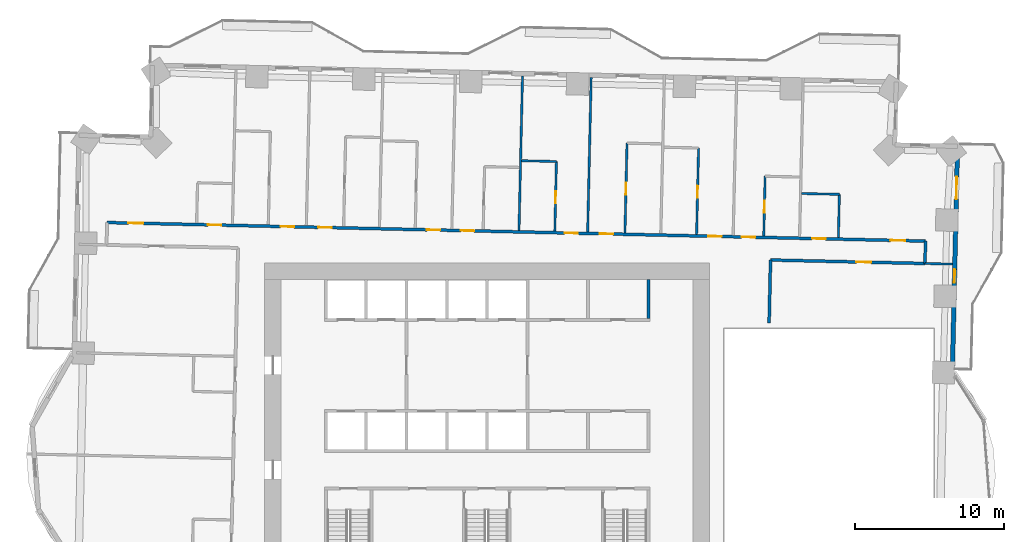
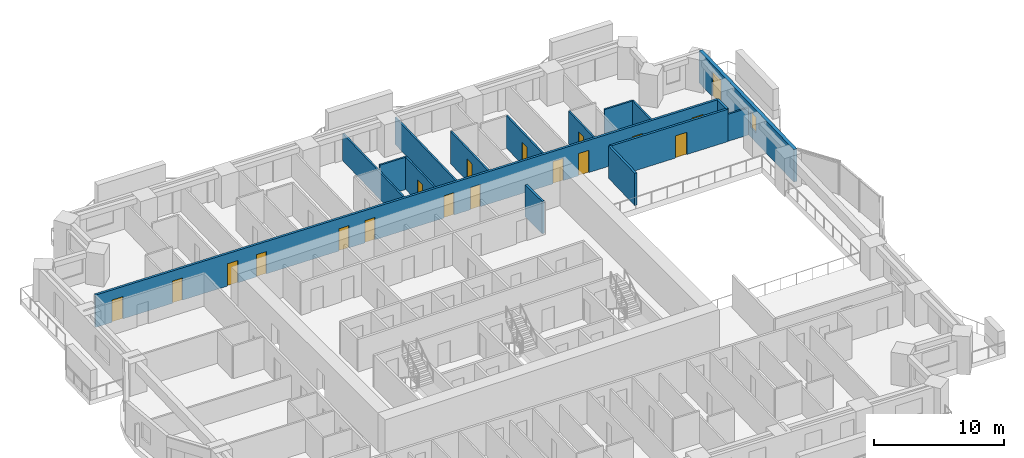
# One storey, part 12 of 18: 18 doors, 16 walls, 1 window, 19 openings.
"""IFC4 building model written with IfcOpenShell, lengths in metres."""

from ifc_helpers import new_model, si_unit, direction, frame, frame_2d, origin, place, context, subcontext, project, spatial, rectangle, extrude, material, layer, layer_set, type_object, element, fill, save


model = new_model("IFC4")

# Units and contexts
model_context = context("Model", 3, precision=1e-05, world=origin(), true_north=direction((0.0, 1.0)))
body_context = subcontext(model_context, "Body", "Model", "MODEL_VIEW")
ifc_project = project(units=[si_unit("LENGTHUNIT", "METRE"), si_unit("AREAUNIT", "SQUARE_METRE"), si_unit("VOLUMEUNIT", "CUBIC_METRE"), si_unit("PLANEANGLEUNIT", "RADIAN"), si_unit("MASSUNIT", "GRAM", prefix="KILO")], contexts=[model_context])

# Site, building, storey
site_placement = place(None, origin())
site = spatial("IfcSite", under=ifc_project, at=site_placement, CompositionType="ELEMENT")
building_placement = place(site_placement, origin())
building = spatial("IfcBuilding", under=site, at=building_placement, Name="Mangrove Gate Tower", CompositionType="ELEMENT")
storey_placement = place(building_placement, frame((0.0, 0.0, 56.699951171875)))
storey = spatial("IfcBuildingStorey", under=building, at=storey_placement, Name="L13", CompositionType="ELEMENT", Elevation=56.699951171875)

# Walls
ifc_material_1 = material(Name="Concrete C32/40", Category="concrete")
ifc_layer_1 = layer(ifc_material_1, 0.199951171875)
ifc_layer_set_1 = layer_set([ifc_layer_1], Name="Core room wall 200 C32/40")
wall_type_1 = type_object("IfcWallType", Name="Core room wall 200 C32/40", PredefinedType="STANDARD", material=ifc_layer_set_1)
wall_1_placement = place(storey_placement, frame((10.800048828125, 8.199951171875, 0.0), z_axis=(0.0, 0.0, 1.0), x_axis=(0.0, 1.0, 0.0)))
element("IfcWall", 1, at=wall_1_placement, inside=storey, type_object=wall_type_1, Name="WALL-L13-CORE-34", PredefinedType="STANDARD", context=body_context, shape_type="SweptSolid", body=[
    extrude(rectangle(XDim=2.60009765625, YDim=0.199951171875, at=frame_2d((1.300048828125, 0.0))), origin(), (0.0, 0.0, 1.0), 3.050048828125),
])
ifc_material_2 = material(Name="Gypsum board on steel stud, EI 60", Category="steel")
ifc_layer_2 = layer(ifc_material_2, 0.199951171875)
ifc_layer_set_2 = layer_set([ifc_layer_2], Name="Corridor wall EI 60")
wall_type_2 = type_object("IfcWallType", Name="Corridor wall EI 60", PredefinedType="PARTITIONING", material=ifc_layer_set_2)
wall_2_placement = place(storey_placement, frame((18.89111328125, 7.903076171875, 0.0), z_axis=(0.0, 0.0, 1.0), x_axis=(0.022807092041, 0.999739884446, 0.0)))
element("IfcWall", 2, at=wall_2_placement, inside=storey, type_object=wall_type_2, Name="WALL-L13-050", PredefinedType="PARTITIONING", context=body_context, shape_type="SweptSolid", body=[
    extrude(rectangle(XDim=4.206787109375, YDim=0.199951171875, at=frame_2d((2.103515625, 0.0))), origin(), (0.0, 0.0, 1.0), 3.050048828125),
])

# Wall, opening, door
wall_3_placement = place(storey_placement, frame((18.985107421875, 12.10888671875, 0.0), z_axis=(0.0, 0.0, 1.0), x_axis=(0.999742480592, -0.022693005506, 0.0)))
wall_3 = element("IfcWall", 3, at=wall_3_placement, inside=storey, type_object=wall_type_2, Name="WALL-L13-054", PredefinedType="PARTITIONING", context=body_context, shape_type="SweptSolid", body=[
    extrude(rectangle(XDim=10.349609375, YDim=0.199951171875, at=frame_2d((5.1748046875, 0.0))), origin(), (0.0, 0.0, 1.0), 3.050048828125),
])
opening_1_placement = place(wall_3_placement, frame((5.75, 0.0, 0.0)))
opening_1 = element("IfcOpeningElement", 4, at=opening_1_placement, cuts=wall_3, Name="Opening AD", PredefinedType="OPENING", context=body_context, shape_type="SweptSolid", body=[
    extrude(rectangle(XDim=1.0, YDim=2.10009765625, at=frame_2d((0.5, 1.050048828125))), frame((0.0, 0.10986328125, 0.0), z_axis=(0.0, -1.0, 0.0), x_axis=(1.0, 0.0, 0.0)), (0.0, 0.0, 1.0), 0.219970703125),
])
ifc_material_3 = material(Name="Timber door leaf", Category="wood")
door_type_1 = type_object("IfcDoorType", Name="Amenity door 1000", OperationType="SINGLE_SWING_LEFT", PredefinedType="DOOR", material=ifc_material_3)
door_1_placement = place(opening_1_placement, origin())
door_1 = element("IfcDoor", 5, at=door_1_placement, inside=storey, type_object=door_type_1, Name="DOOR-L13-KIT-c3a", OperationType="SINGLE_SWING_RIGHT", OverallHeight=2.10009765625, OverallWidth=1.0, PredefinedType="DOOR", context=body_context, shape_type="SweptSolid", body=[
    extrude(rectangle(XDim=1.0, YDim=2.10009765625, at=frame_2d((0.5, 1.050048828125))), frame((0.0, 0.02490234375, 0.0), z_axis=(0.0, -1.0, 0.0), x_axis=(1.0, 0.0, 0.0)), (0.0, 0.0, 1.0), 0.050048828125),
])
fill(opening_1, door_1)

# Wall
wall_4_placement = place(storey_placement, frame((29.333984375, 11.8740234375, 0.0), z_axis=(0.0, 0.0, 1.0), x_axis=(0.022617910375, 0.999744182344, 0.0)))
element("IfcWall", 6, at=wall_4_placement, inside=storey, type_object=wall_type_2, Name="WALL-L13-056", PredefinedType="PARTITIONING", context=body_context, shape_type="SweptSolid", body=[
    extrude(rectangle(XDim=1.50048828125, YDim=0.199951171875, at=frame_2d((0.750244140625, 0.0))), origin(), (0.0, 0.0, 1.0), 3.050048828125),
])

# Wall, openings, doors
wall_5_placement = place(storey_placement, frame((-25.4560546875, 14.617919921875, 0.0), z_axis=(0.0, 0.0, 1.0), x_axis=(0.999742687583, -0.0226838847, 0.0)))
wall_5 = element("IfcWall", 7, at=wall_5_placement, inside=storey, type_object=wall_type_2, Name="WALL-L13-057", PredefinedType="PARTITIONING", context=body_context, shape_type="SweptSolid", body=[
    extrude(rectangle(XDim=54.836181640625, YDim=0.199951171875, at=frame_2d((27.41796875, 0.0))), origin(), (0.0, 0.0, 1.0), 3.050048828125),
])
opening_2_placement = place(wall_5_placement, frame((52.492919921875, 0.0, 0.0)))
opening_2 = element("IfcOpeningElement", 8, at=opening_2_placement, cuts=wall_5, Name="Opening AD", PredefinedType="OPENING", context=body_context, shape_type="SweptSolid", body=[
    extrude(rectangle(XDim=1.0, YDim=2.10009765625, at=frame_2d((0.5, 1.050048828125))), frame((0.0, 0.10986328125, 0.0), z_axis=(0.0, -1.0, 0.0), x_axis=(1.0, 0.0, 0.0)), (0.0, 0.0, 1.0), 0.219970703125),
])
opening_3_placement = place(wall_5_placement, frame((47.25, 0.0, 0.0)))
opening_3 = element("IfcOpeningElement", 9, at=opening_3_placement, cuts=wall_5, Name="Opening SD", PredefinedType="OPENING", context=body_context, shape_type="SweptSolid", body=[
    extrude(rectangle(XDim=0.89990234375, YDim=2.10009765625, at=frame_2d((0.449951171875, 1.050048828125))), frame((0.0, 0.10986328125, 0.0), z_axis=(0.0, -1.0, 0.0), x_axis=(1.0, 0.0, 0.0)), (0.0, 0.0, 1.0), 0.219970703125),
])
opening_4_placement = place(wall_5_placement, frame((42.52490234375, 0.0, 0.0)))
opening_4 = element("IfcOpeningElement", 10, at=opening_4_placement, cuts=wall_5, Name="Opening BD", PredefinedType="OPENING", context=body_context, shape_type="SweptSolid", body=[
    extrude(rectangle(XDim=0.89990234375, YDim=2.10009765625, at=frame_2d((0.449951171875, 1.050048828125))), frame((0.0, 0.10986328125, 0.0), z_axis=(0.0, -1.0, 0.0), x_axis=(1.0, 0.0, 0.0)), (0.0, 0.0, 1.0), 0.219970703125),
])
opening_5_placement = place(wall_5_placement, frame((40.27490234375, 0.0, 0.0)))
opening_5 = element("IfcOpeningElement", 11, at=opening_5_placement, cuts=wall_5, Name="Opening BD", PredefinedType="OPENING", context=body_context, shape_type="SweptSolid", body=[
    extrude(rectangle(XDim=0.89990234375, YDim=2.10009765625, at=frame_2d((0.449951171875, 1.050048828125))), frame((0.0, 0.10986328125, 0.0), z_axis=(0.0, -1.0, 0.0), x_axis=(1.0, 0.0, 0.0)), (0.0, 0.0, 1.0), 0.219970703125),
])
opening_6_placement = place(wall_5_placement, frame((33.0, 0.0, 0.0)))
opening_6 = element("IfcOpeningElement", 12, at=opening_6_placement, cuts=wall_5, Name="Opening BD", PredefinedType="OPENING", context=body_context, shape_type="SweptSolid", body=[
    extrude(rectangle(XDim=0.89990234375, YDim=2.10009765625, at=frame_2d((0.449951171875, 1.050048828125))), frame((0.0, 0.10986328125, 0.0), z_axis=(0.0, -1.0, 0.0), x_axis=(1.0, 0.0, 0.0)), (0.0, 0.0, 1.0), 0.219970703125),
])
opening_7_placement = place(wall_5_placement, frame((30.64990234375, 0.0, 0.0)))
opening_7 = element("IfcOpeningElement", 13, at=opening_7_placement, cuts=wall_5, Name="Opening BD", PredefinedType="OPENING", context=body_context, shape_type="SweptSolid", body=[
    extrude(rectangle(XDim=0.89990234375, YDim=2.10009765625, at=frame_2d((0.449951171875, 1.050048828125))), frame((0.0, 0.10986328125, 0.0), z_axis=(0.0, -1.0, 0.0), x_axis=(1.0, 0.0, 0.0)), (0.0, 0.0, 1.0), 0.219970703125),
])
opening_8_placement = place(wall_5_placement, frame((23.699951171875, 0.0, 0.0)))
opening_8 = element("IfcOpeningElement", 14, at=opening_8_placement, cuts=wall_5, Name="Opening BD", PredefinedType="OPENING", context=body_context, shape_type="SweptSolid", body=[
    extrude(rectangle(XDim=0.89990234375, YDim=2.10009765625, at=frame_2d((0.449951171875, 1.050048828125))), frame((0.0, 0.10986328125, 0.0), z_axis=(0.0, -1.0, 0.0), x_axis=(1.0, 0.0, 0.0)), (0.0, 0.0, 1.0), 0.219970703125),
])
opening_9_placement = place(wall_5_placement, frame((21.425048828125, 0.0, 0.0)))
opening_9 = element("IfcOpeningElement", 15, at=opening_9_placement, cuts=wall_5, Name="Opening BD", PredefinedType="OPENING", context=body_context, shape_type="SweptSolid", body=[
    extrude(rectangle(XDim=0.89990234375, YDim=2.10009765625, at=frame_2d((0.449951171875, 1.050048828125))), frame((0.0, 0.10986328125, 0.0), z_axis=(0.0, -1.0, 0.0), x_axis=(1.0, 0.0, 0.0)), (0.0, 0.0, 1.0), 0.219970703125),
])
opening_10_placement = place(wall_5_placement, frame((14.14990234375, 0.0, 0.0)))
opening_10 = element("IfcOpeningElement", 16, at=opening_10_placement, cuts=wall_5, Name="Opening BD", PredefinedType="OPENING", context=body_context, shape_type="SweptSolid", body=[
    extrude(rectangle(XDim=0.89990234375, YDim=2.10009765625, at=frame_2d((0.449951171875, 1.050048828125))), frame((0.0, 0.10986328125, 0.0), z_axis=(0.0, -1.0, 0.0), x_axis=(1.0, 0.0, 0.0)), (0.0, 0.0, 1.0), 0.219970703125),
])
opening_11_placement = place(wall_5_placement, frame((11.625, 0.0, 0.0)))
opening_11 = element("IfcOpeningElement", 17, at=opening_11_placement, cuts=wall_5, Name="Opening BD", PredefinedType="OPENING", context=body_context, shape_type="SweptSolid", body=[
    extrude(rectangle(XDim=0.89990234375, YDim=2.10009765625, at=frame_2d((0.449951171875, 1.050048828125))), frame((0.0, 0.10986328125, 0.0), z_axis=(0.0, -1.0, 0.0), x_axis=(1.0, 0.0, 0.0)), (0.0, 0.0, 1.0), 0.219970703125),
])
opening_12_placement = place(wall_5_placement, frame((1.425048828125, 0.0, 0.0)))
opening_12 = element("IfcOpeningElement", 18, at=opening_12_placement, cuts=wall_5, Name="Opening AD", PredefinedType="OPENING", context=body_context, shape_type="SweptSolid", body=[
    extrude(rectangle(XDim=1.0, YDim=2.10009765625, at=frame_2d((0.5, 1.050048828125))), frame((0.0, 0.10986328125, 0.0), z_axis=(0.0, -1.0, 0.0), x_axis=(1.0, 0.0, 0.0)), (0.0, 0.0, 1.0), 0.219970703125),
])
opening_13_placement = place(wall_5_placement, frame((6.75, 0.0, 0.0)))
opening_13 = element("IfcOpeningElement", 19, at=opening_13_placement, cuts=wall_5, Name="Opening SD", PredefinedType="OPENING", context=body_context, shape_type="SweptSolid", body=[
    extrude(rectangle(XDim=0.89990234375, YDim=2.10009765625, at=frame_2d((0.449951171875, 1.050048828125))), frame((0.0, 0.10986328125, 0.0), z_axis=(0.0, -1.0, 0.0), x_axis=(1.0, 0.0, 0.0)), (0.0, 0.0, 1.0), 0.219970703125),
])
door_2_placement = place(opening_2_placement, origin())
door_2 = element("IfcDoor", 20, at=door_2_placement, inside=storey, type_object=door_type_1, Name="DOOR-L13-GAM-c3a", OperationType="SINGLE_SWING_LEFT", OverallHeight=2.10009765625, OverallWidth=1.0, PredefinedType="DOOR", context=body_context, shape_type="SweptSolid", body=[
    extrude(rectangle(XDim=1.0, YDim=2.10009765625, at=frame_2d((0.5, 1.050048828125))), frame((0.0, 0.02490234375, 0.0), z_axis=(0.0, -1.0, 0.0), x_axis=(1.0, 0.0, 0.0)), (0.0, 0.0, 1.0), 0.050048828125),
])
fill(opening_2, door_2)
door_3_placement = place(opening_12_placement, origin())
door_3 = element("IfcDoor", 21, at=door_3_placement, inside=storey, type_object=door_type_1, Name="DOOR-L13-KIT-c5a", OperationType="SINGLE_SWING_RIGHT", OverallHeight=2.10009765625, OverallWidth=1.0, PredefinedType="DOOR", context=body_context, shape_type="SweptSolid", body=[
    extrude(rectangle(XDim=1.0, YDim=2.10009765625, at=frame_2d((0.5, 1.050048828125))), frame((0.0, 0.02490234375, 0.0), z_axis=(0.0, -1.0, 0.0), x_axis=(1.0, 0.0, 0.0)), (0.0, 0.0, 1.0), 0.050048828125),
])
fill(opening_12, door_3)
ifc_material_4 = material(Name="Timber door leaf", Category="wood")
door_type_2 = type_object("IfcDoorType", Name="Bedroom door 900", OperationType="SINGLE_SWING_LEFT", PredefinedType="DOOR", material=ifc_material_4)
door_4_placement = place(opening_4_placement, origin())
door_4 = element("IfcDoor", 22, at=door_4_placement, inside=storey, type_object=door_type_2, Name="DOOR-L13-BED-c310", OperationType="SINGLE_SWING_RIGHT", OverallHeight=2.10009765625, OverallWidth=0.89990234375, PredefinedType="DOOR", context=body_context, shape_type="SweptSolid", body=[
    extrude(rectangle(XDim=0.89990234375, YDim=2.10009765625, at=frame_2d((0.449951171875, 1.050048828125))), frame((0.0, 0.02490234375, 0.0), z_axis=(0.0, -1.0, 0.0), x_axis=(1.0, 0.0, 0.0)), (0.0, 0.0, 1.0), 0.050048828125),
])
fill(opening_4, door_4)
door_5_placement = place(opening_5_placement, origin())
door_5 = element("IfcDoor", 23, at=door_5_placement, inside=storey, type_object=door_type_2, Name="DOOR-L13-BED-c311", OperationType="SINGLE_SWING_LEFT", OverallHeight=2.10009765625, OverallWidth=0.89990234375, PredefinedType="DOOR", context=body_context, shape_type="SweptSolid", body=[
    extrude(rectangle(XDim=0.89990234375, YDim=2.10009765625, at=frame_2d((0.449951171875, 1.050048828125))), frame((0.0, 0.02490234375, 0.0), z_axis=(0.0, -1.0, 0.0), x_axis=(1.0, 0.0, 0.0)), (0.0, 0.0, 1.0), 0.050048828125),
])
fill(opening_5, door_5)
door_6_placement = place(opening_6_placement, origin())
door_6 = element("IfcDoor", 24, at=door_6_placement, inside=storey, type_object=door_type_2, Name="DOOR-L13-BED-c412", OperationType="SINGLE_SWING_RIGHT", OverallHeight=2.10009765625, OverallWidth=0.89990234375, PredefinedType="DOOR", context=body_context, shape_type="SweptSolid", body=[
    extrude(rectangle(XDim=0.89990234375, YDim=2.10009765625, at=frame_2d((0.449951171875, 1.050048828125))), frame((0.0, 0.02490234375, 0.0), z_axis=(0.0, -1.0, 0.0), x_axis=(1.0, 0.0, 0.0)), (0.0, 0.0, 1.0), 0.050048828125),
])
fill(opening_6, door_6)
door_7_placement = place(opening_7_placement, origin())
door_7 = element("IfcDoor", 25, at=door_7_placement, inside=storey, type_object=door_type_2, Name="DOOR-L13-BED-c413", OperationType="SINGLE_SWING_LEFT", OverallHeight=2.10009765625, OverallWidth=0.89990234375, PredefinedType="DOOR", context=body_context, shape_type="SweptSolid", body=[
    extrude(rectangle(XDim=0.89990234375, YDim=2.10009765625, at=frame_2d((0.449951171875, 1.050048828125))), frame((0.0, 0.02490234375, 0.0), z_axis=(0.0, -1.0, 0.0), x_axis=(1.0, 0.0, 0.0)), (0.0, 0.0, 1.0), 0.050048828125),
])
fill(opening_7, door_7)
door_8_placement = place(opening_8_placement, origin())
door_8 = element("IfcDoor", 26, at=door_8_placement, inside=storey, type_object=door_type_2, Name="DOOR-L13-BED-c414", OperationType="SINGLE_SWING_RIGHT", OverallHeight=2.10009765625, OverallWidth=0.89990234375, PredefinedType="DOOR", context=body_context, shape_type="SweptSolid", body=[
    extrude(rectangle(XDim=0.89990234375, YDim=2.10009765625, at=frame_2d((0.449951171875, 1.050048828125))), frame((0.0, 0.02490234375, 0.0), z_axis=(0.0, -1.0, 0.0), x_axis=(1.0, 0.0, 0.0)), (0.0, 0.0, 1.0), 0.050048828125),
])
fill(opening_8, door_8)
door_9_placement = place(opening_9_placement, origin())
door_9 = element("IfcDoor", 27, at=door_9_placement, inside=storey, type_object=door_type_2, Name="DOOR-L13-BED-c515", OperationType="SINGLE_SWING_LEFT", OverallHeight=2.10009765625, OverallWidth=0.89990234375, PredefinedType="DOOR", context=body_context, shape_type="SweptSolid", body=[
    extrude(rectangle(XDim=0.89990234375, YDim=2.10009765625, at=frame_2d((0.449951171875, 1.050048828125))), frame((0.0, 0.02490234375, 0.0), z_axis=(0.0, -1.0, 0.0), x_axis=(1.0, 0.0, 0.0)), (0.0, 0.0, 1.0), 0.050048828125),
])
fill(opening_9, door_9)
door_10_placement = place(opening_10_placement, origin())
door_10 = element("IfcDoor", 28, at=door_10_placement, inside=storey, type_object=door_type_2, Name="DOOR-L13-BED-c516", OperationType="SINGLE_SWING_RIGHT", OverallHeight=2.10009765625, OverallWidth=0.89990234375, PredefinedType="DOOR", context=body_context, shape_type="SweptSolid", body=[
    extrude(rectangle(XDim=0.89990234375, YDim=2.10009765625, at=frame_2d((0.449951171875, 1.050048828125))), frame((0.0, 0.02490234375, 0.0), z_axis=(0.0, -1.0, 0.0), x_axis=(1.0, 0.0, 0.0)), (0.0, 0.0, 1.0), 0.050048828125),
])
fill(opening_10, door_10)
door_11_placement = place(opening_11_placement, origin())
door_11 = element("IfcDoor", 29, at=door_11_placement, inside=storey, type_object=door_type_2, Name="DOOR-L13-BED-c517", OperationType="SINGLE_SWING_LEFT", OverallHeight=2.10009765625, OverallWidth=0.89990234375, PredefinedType="DOOR", context=body_context, shape_type="SweptSolid", body=[
    extrude(rectangle(XDim=0.89990234375, YDim=2.10009765625, at=frame_2d((0.449951171875, 1.050048828125))), frame((0.0, 0.02490234375, 0.0), z_axis=(0.0, -1.0, 0.0), x_axis=(1.0, 0.0, 0.0)), (0.0, 0.0, 1.0), 0.050048828125),
])
fill(opening_11, door_11)
ifc_material_5 = material(Name="Timber door leaf", Category="wood")
door_type_3 = type_object("IfcDoorType", Name="Service room door 900", OperationType="SINGLE_SWING_LEFT", PredefinedType="DOOR", material=ifc_material_5)
door_12_placement = place(opening_3_placement, origin())
door_12 = element("IfcDoor", 30, at=door_12_placement, inside=storey, type_object=door_type_3, Name="DOOR-L13-AWC-c3a", OperationType="SINGLE_SWING_LEFT", OverallHeight=2.10009765625, OverallWidth=0.89990234375, PredefinedType="DOOR", context=body_context, shape_type="SweptSolid", body=[
    extrude(rectangle(XDim=0.89990234375, YDim=2.10009765625, at=frame_2d((0.449951171875, 1.050048828125))), frame((0.0, 0.02490234375, 0.0), z_axis=(0.0, -1.0, 0.0), x_axis=(1.0, 0.0, 0.0)), (0.0, 0.0, 1.0), 0.050048828125),
])
fill(opening_3, door_12)
door_13_placement = place(opening_13_placement, origin())
door_13 = element("IfcDoor", 31, at=door_13_placement, inside=storey, type_object=door_type_3, Name="DOOR-L13-WC-c5a", OperationType="SINGLE_SWING_RIGHT", OverallHeight=2.10009765625, OverallWidth=0.89990234375, PredefinedType="DOOR", context=body_context, shape_type="SweptSolid", body=[
    extrude(rectangle(XDim=0.89990234375, YDim=2.10009765625, at=frame_2d((0.449951171875, 1.050048828125))), frame((0.0, 0.02490234375, 0.0), z_axis=(0.0, -1.0, 0.0), x_axis=(1.0, 0.0, 0.0)), (0.0, 0.0, 1.0), 0.050048828125),
])
fill(opening_13, door_13)

# Wall, openings, door, window
ifc_material_6 = material(Name="Limestone", Category="masonry")
ifc_layer_3 = layer(ifc_material_6, 0.0400390625, Name="Limestone cladding")
ifc_material_7 = material(Name="Ventilated air gap")
ifc_layer_4 = layer(ifc_material_7, 0.0400390625, Name="Ventilated cavity")
ifc_material_8 = material(Name="Mineral wool insulation")
ifc_layer_5 = layer(ifc_material_8, 0.06005859375, Name="Insulation")
ifc_material_9 = material(Name="Breather membrane")
ifc_layer_6 = layer(ifc_material_9, 0.001953125, Name="Breather membrane")
ifc_material_10 = material(Name="Concrete C20/25 blockwork", Category="masonry")
ifc_layer_7 = layer(ifc_material_10, 0.14990234375, Name="Blockwork backing wall")
ifc_material_11 = material(Name="Gypsum plaster")
ifc_layer_8 = layer(ifc_material_11, 0.008056640625, Name="Internal plaster")
ifc_layer_set_3 = layer_set([ifc_layer_3, ifc_layer_4, ifc_layer_5, ifc_layer_6, ifc_layer_7, ifc_layer_8], Name="External wall 300 limestone cladding")
wall_type_3 = type_object("IfcWallType", Name="External wall 300 limestone cladding", PredefinedType="SOLIDWALL", material=ifc_layer_set_3)
wall_6_placement = place(storey_placement, frame((31.1650390625, 4.501953125, 0.0), z_axis=(0.0, 0.0, 1.0), x_axis=(0.022716307128, 0.999741951401, 0.0)))
wall_6 = element("IfcWall", 32, at=wall_6_placement, inside=storey, type_object=wall_type_3, Name="WALL-L13-E2", PredefinedType="SOLIDWALL", context=body_context, shape_type="SweptSolid", body=[
    extrude(rectangle(XDim=15.22900390625, YDim=0.300048828125, at=frame_2d((7.614501953125, 0.0))), origin(), (0.0, 0.0, 1.0), 3.050048828125),
])
opening_14_placement = place(wall_6_placement, frame((6.072021484375, 0.0, 0.89990234375)))
opening_14 = element("IfcOpeningElement", 33, at=opening_14_placement, cuts=wall_6, Name="Opening W5", PredefinedType="OPENING", context=body_context, shape_type="SweptSolid", body=[
    extrude(rectangle(XDim=0.89990234375, YDim=1.5, at=frame_2d((0.449951171875, 0.75))), frame((0.0, 0.159912109375, 0.0), z_axis=(0.0, -1.0, 0.0), x_axis=(1.0, 0.0, 0.0)), (0.0, 0.0, 1.0), 0.320068359375),
])
opening_15_placement = place(wall_6_placement, frame((11.68408203125, 0.0, 0.0)))
opening_15 = element("IfcOpeningElement", 34, at=opening_15_placement, cuts=wall_6, Name="Opening BD1", PredefinedType="OPENING", context=body_context, shape_type="SweptSolid", body=[
    extrude(rectangle(XDim=1.5, YDim=2.39990234375, at=frame_2d((0.75, 1.199951171875))), frame((0.0, 0.159912109375, 0.0), z_axis=(0.0, -1.0, 0.0), x_axis=(1.0, 0.0, 0.0)), (0.0, 0.0, 1.0), 0.320068359375),
])
ifc_material_12 = material(Name="Aluminium frame with laminated clear glass", Category="aluminium")
door_type_4 = type_object("IfcDoorType", Name="Balcony sliding door 1500x2400", OperationType="SLIDING_TO_LEFT", PredefinedType="DOOR", material=ifc_material_12)
door_14_placement = place(opening_15_placement, origin())
door_14 = element("IfcDoor", 35, at=door_14_placement, inside=storey, type_object=door_type_4, Name="DOOR-L13-E2-2", OperationType="SLIDING_TO_LEFT", OverallHeight=2.39990234375, OverallWidth=1.5, PredefinedType="DOOR", context=body_context, shape_type="SweptSolid", body=[
    extrude(rectangle(XDim=1.5, YDim=2.39990234375, at=frame_2d((0.75, 1.199951171875))), frame((0.0, 0.02490234375, 0.0), z_axis=(0.0, -1.0, 0.0), x_axis=(1.0, 0.0, 0.0)), (0.0, 0.0, 1.0), 0.050048828125),
])
fill(opening_15, door_14)
ifc_material_13 = material(Name="Aluminium frame with double-glazed low-e glass", Category="aluminium")
window_type = type_object("IfcWindowType", Name="Narrow window 900x1500", PartitioningType="SINGLE_PANEL", PredefinedType="WINDOW", material=ifc_material_13)
window_placement = place(opening_14_placement, origin())
window = element("IfcWindow", 36, at=window_placement, inside=storey, type_object=window_type, Name="WIN-L13-E2-1", OverallHeight=1.5, OverallWidth=0.89990234375, PartitioningType="SINGLE_PANEL", PredefinedType="WINDOW", context=body_context, shape_type="SweptSolid", body=[
    extrude(rectangle(XDim=0.89990234375, YDim=1.5, at=frame_2d((0.449951171875, 0.75))), frame((0.0, 0.030029296875, 0.0), z_axis=(0.0, -1.0, 0.0), x_axis=(1.0, 0.0, 0.0)), (0.0, 0.0, 1.0), 0.06005859375),
])
fill(opening_14, window)

# Walls
ifc_material_14 = material(Name="Gypsum board on steel stud, EI 60", Category="steel")
ifc_layer_9 = layer(ifc_material_14, 0.14990234375)
ifc_layer_set_4 = layer_set([ifc_layer_9], Name="Party wall 150 EI 60")
wall_type_4 = type_object("IfcWallType", Name="Party wall 150 EI 60", PredefinedType="PARTITIONING", material=ifc_layer_set_4)
wall_7_placement = place(storey_placement, frame((29.33203125, 11.8740234375, 0.0), z_axis=(0.0, 0.0, 1.0), x_axis=(0.999742448242, -0.022694430658, 0.0)))
element("IfcWall", 37, at=wall_7_placement, inside=storey, type_object=wall_type_4, Name="WALL-L13-055", PredefinedType="PARTITIONING", context=body_context, shape_type="SweptSolid", body=[
    extrude(rectangle(XDim=1.850341796875, YDim=0.14990234375, at=frame_2d((0.92529296875, 0.0))), origin(), (0.0, 0.0, 1.0), 2.550048828125),
])
wall_8_placement = place(storey_placement, frame((2.136962890625, 14.092041015625, 0.0), z_axis=(0.0, 0.0, 1.0), x_axis=(0.022716582742, 0.999741945138, 0.0)))
element("IfcWall", 38, at=wall_8_placement, inside=storey, type_object=wall_type_4, Name="WALL-L13-067", PredefinedType="PARTITIONING", context=body_context, shape_type="SweptSolid", body=[
    extrude(rectangle(XDim=10.349609375, YDim=0.14990234375, at=frame_2d((5.1748046875, 0.0))), origin(), (0.0, 0.0, 1.0), 2.550048828125),
])

# Wall, opening, door
wall_9_placement = place(storey_placement, frame((4.537109375, 14.037109375, 0.0), z_axis=(0.0, 0.0, 1.0), x_axis=(0.022688155425, 0.999742590672, 0.0)))
wall_9 = element("IfcWall", 39, at=wall_9_placement, inside=storey, type_object=wall_type_4, Name="WALL-L13-068", PredefinedType="PARTITIONING", context=body_context, shape_type="SweptSolid", body=[
    extrude(rectangle(XDim=4.670166015625, YDim=0.14990234375, at=frame_2d((2.3349609375, 0.0))), origin(), (0.0, 0.0, 1.0), 3.050048828125),
])
opening_16_placement = place(wall_9_placement, frame((1.885009765625, 0.0, 0.0)))
opening_16 = element("IfcOpeningElement", 40, at=opening_16_placement, cuts=wall_9, Name="Opening ED", PredefinedType="OPENING", context=body_context, shape_type="SweptSolid", body=[
    extrude(rectangle(XDim=0.800048828125, YDim=2.10009765625, at=frame_2d((0.39990234375, 1.050048828125))), frame((0.0, 0.0849609375, 0.0), z_axis=(0.0, -1.0, 0.0), x_axis=(1.0, 0.0, 0.0)), (0.0, 0.0, 1.0), 0.169921875),
])
ifc_material_15 = material(Name="Timber door leaf", Category="wood")
door_type_5 = type_object("IfcDoorType", Name="En-suite door 800", OperationType="SINGLE_SWING_LEFT", PredefinedType="DOOR", material=ifc_material_15)
door_15_placement = place(opening_16_placement, origin())
door_15 = element("IfcDoor", 41, at=door_15_placement, inside=storey, type_object=door_type_5, Name="DOOR-L13-ENS-c413", OperationType="SINGLE_SWING_LEFT", OverallHeight=2.10009765625, OverallWidth=0.800048828125, PredefinedType="DOOR", context=body_context, shape_type="SweptSolid", body=[
    extrude(rectangle(XDim=0.800048828125, YDim=2.10009765625, at=frame_2d((0.39990234375, 1.050048828125))), frame((0.0, 0.02490234375, 0.0), z_axis=(0.0, -1.0, 0.0), x_axis=(1.0, 0.0, 0.0)), (0.0, 0.0, 1.0), 0.050048828125),
])
fill(opening_16, door_15)

# Wall
wall_10_placement = place(storey_placement, frame((6.736083984375, 13.988037109375, 0.0), z_axis=(0.0, 0.0, 1.0), x_axis=(0.022693005506, 0.999742480592, 0.0)))
element("IfcWall", 42, at=wall_10_placement, inside=storey, type_object=wall_type_4, Name="WALL-L13-069", PredefinedType="PARTITIONING", context=body_context, shape_type="SweptSolid", body=[
    extrude(rectangle(XDim=10.349609375, YDim=0.14990234375, at=frame_2d((5.1748046875, 0.0))), origin(), (0.0, 0.0, 1.0), 2.550048828125),
])

# Wall, opening, door
wall_11_placement = place(storey_placement, frame((9.235107421875, 13.930908203125, 0.0), z_axis=(0.0, 0.0, 1.0), x_axis=(0.022790616683, 0.999740260163, 0.0)))
wall_11 = element("IfcWall", 43, at=wall_11_placement, inside=storey, type_object=wall_type_4, Name="WALL-L13-070", PredefinedType="PARTITIONING", context=body_context, shape_type="SweptSolid", body=[
    extrude(rectangle(XDim=6.009521484375, YDim=0.14990234375, at=frame_2d((3.0048828125, 0.0))), origin(), (0.0, 0.0, 1.0), 3.050048828125),
])
opening_17_placement = place(wall_11_placement, frame((2.554931640625, 0.0, 0.0)))
opening_17 = element("IfcOpeningElement", 44, at=opening_17_placement, cuts=wall_11, Name="Opening ED", PredefinedType="OPENING", context=body_context, shape_type="SweptSolid", body=[
    extrude(rectangle(XDim=0.800048828125, YDim=2.10009765625, at=frame_2d((0.39990234375, 1.050048828125))), frame((0.0, 0.0849609375, 0.0), z_axis=(0.0, -1.0, 0.0), x_axis=(1.0, 0.0, 0.0)), (0.0, 0.0, 1.0), 0.169921875),
])
door_16_placement = place(opening_17_placement, origin())
door_16 = element("IfcDoor", 45, at=door_16_placement, inside=storey, type_object=door_type_5, Name="DOOR-L13-ENS-c412", OperationType="SINGLE_SWING_RIGHT", OverallHeight=2.10009765625, OverallWidth=0.800048828125, PredefinedType="DOOR", context=body_context, shape_type="SweptSolid", body=[
    extrude(rectangle(XDim=0.800048828125, YDim=2.10009765625, at=frame_2d((0.39990234375, 1.050048828125))), frame((0.0, 0.02490234375, 0.0), z_axis=(0.0, -1.0, 0.0), x_axis=(1.0, 0.0, 0.0)), (0.0, 0.0, 1.0), 0.050048828125),
])
fill(opening_17, door_16)

wall_12_placement = place(storey_placement, frame((14.033935546875, 13.822021484375, 0.0), z_axis=(0.0, 0.0, 1.0), x_axis=(0.022813362582, 0.999739741377, 0.0)))
wall_12 = element("IfcWall", 46, at=wall_12_placement, inside=storey, type_object=wall_type_4, Name="WALL-L13-072", PredefinedType="PARTITIONING", context=body_context, shape_type="SweptSolid", body=[
    extrude(rectangle(XDim=5.78955078125, YDim=0.14990234375, at=frame_2d((2.894775390625, 0.0))), origin(), (0.0, 0.0, 1.0), 3.050048828125),
])
opening_18_placement = place(wall_12_placement, frame((2.445068359375, 0.0, 0.0)))
opening_18 = element("IfcOpeningElement", 47, at=opening_18_placement, cuts=wall_12, Name="Opening ED", PredefinedType="OPENING", context=body_context, shape_type="SweptSolid", body=[
    extrude(rectangle(XDim=0.800048828125, YDim=2.10009765625, at=frame_2d((0.39990234375, 1.050048828125))), frame((0.0, 0.0849609375, 0.0), z_axis=(0.0, -1.0, 0.0), x_axis=(1.0, 0.0, 0.0)), (0.0, 0.0, 1.0), 0.169921875),
])
door_17_placement = place(opening_18_placement, origin())
door_17 = element("IfcDoor", 48, at=door_17_placement, inside=storey, type_object=door_type_5, Name="DOOR-L13-ENS-c311", OperationType="SINGLE_SWING_LEFT", OverallHeight=2.10009765625, OverallWidth=0.800048828125, PredefinedType="DOOR", context=body_context, shape_type="SweptSolid", body=[
    extrude(rectangle(XDim=0.800048828125, YDim=2.10009765625, at=frame_2d((0.39990234375, 1.050048828125))), frame((0.0, 0.02490234375, 0.0), z_axis=(0.0, -1.0, 0.0), x_axis=(1.0, 0.0, 0.0)), (0.0, 0.0, 1.0), 0.050048828125),
])
fill(opening_18, door_17)

wall_13_placement = place(storey_placement, frame((18.532958984375, 13.719970703125, 0.0), z_axis=(0.0, 0.0, 1.0), x_axis=(0.022765770952, 0.999740826251, 0.0)))
wall_13 = element("IfcWall", 49, at=wall_13_placement, inside=storey, type_object=wall_type_4, Name="WALL-L13-074", PredefinedType="PARTITIONING", context=body_context, shape_type="SweptSolid", body=[
    extrude(rectangle(XDim=4.0, YDim=0.14990234375, at=frame_2d((2.0, 0.0))), origin(), (0.0, 0.0, 1.0), 3.050048828125),
])
opening_19_placement = place(wall_13_placement, frame((1.550048828125, 0.0, 0.0)))
opening_19 = element("IfcOpeningElement", 50, at=opening_19_placement, cuts=wall_13, Name="Opening ED", PredefinedType="OPENING", context=body_context, shape_type="SweptSolid", body=[
    extrude(rectangle(XDim=0.800048828125, YDim=2.10009765625, at=frame_2d((0.39990234375, 1.050048828125))), frame((0.0, 0.0849609375, 0.0), z_axis=(0.0, -1.0, 0.0), x_axis=(1.0, 0.0, 0.0)), (0.0, 0.0, 1.0), 0.169921875),
])
door_18_placement = place(opening_19_placement, origin())
door_18 = element("IfcDoor", 51, at=door_18_placement, inside=storey, type_object=door_type_5, Name="DOOR-L13-ENS-c310", OperationType="SINGLE_SWING_RIGHT", OverallHeight=2.10009765625, OverallWidth=0.800048828125, PredefinedType="DOOR", context=body_context, shape_type="SweptSolid", body=[
    extrude(rectangle(XDim=0.800048828125, YDim=2.10009765625, at=frame_2d((0.39990234375, 1.050048828125))), frame((0.0, 0.02490234375, 0.0), z_axis=(0.0, -1.0, 0.0), x_axis=(1.0, 0.0, 0.0)), (0.0, 0.0, 1.0), 0.050048828125),
])
fill(opening_19, door_18)

# Walls
wall_14_placement = place(storey_placement, frame((23.531982421875, 13.60595703125, 0.0), z_axis=(0.0, 0.0, 1.0), x_axis=(0.022723317103, 0.999741792094, 0.0)))
element("IfcWall", 52, at=wall_14_placement, inside=storey, type_object=wall_type_4, Name="WALL-L13-076", PredefinedType="PARTITIONING", context=body_context, shape_type="SweptSolid", body=[
    extrude(rectangle(XDim=2.90087890625, YDim=0.14990234375, at=frame_2d((1.450439453125, 0.0))), origin(), (0.0, 0.0, 1.0), 3.050048828125),
])
wall_15_placement = place(storey_placement, frame((21.074951171875, 16.56298828125, 0.0), z_axis=(0.0, 0.0, 1.0), x_axis=(0.999746356616, -0.022521599255, 0.0)))
element("IfcWall", 53, at=wall_15_placement, inside=storey, type_object=wall_type_4, Name="WALL-L13-078", PredefinedType="PARTITIONING", context=body_context, shape_type="SweptSolid", body=[
    extrude(rectangle(XDim=2.52587890625, YDim=0.14990234375, at=frame_2d((1.262939453125, 0.0))), origin(), (0.0, 0.0, 1.0), 3.050048828125),
])
wall_16_placement = place(storey_placement, frame((2.320068359375, 18.759033203125, 0.0), z_axis=(0.0, 0.0, 1.0), x_axis=(0.999740478815, -0.022781023197, 0.0)))
element("IfcWall", 54, at=wall_16_placement, inside=storey, type_object=wall_type_4, Name="WALL-L13-081", PredefinedType="PARTITIONING", context=body_context, shape_type="SweptSolid", body=[
    extrude(rectangle(XDim=2.325439453125, YDim=0.14990234375, at=frame_2d((1.16259765625, 0.0))), origin(), (0.0, 0.0, 1.0), 3.050048828125),
])

save(model, "model.ifc")
